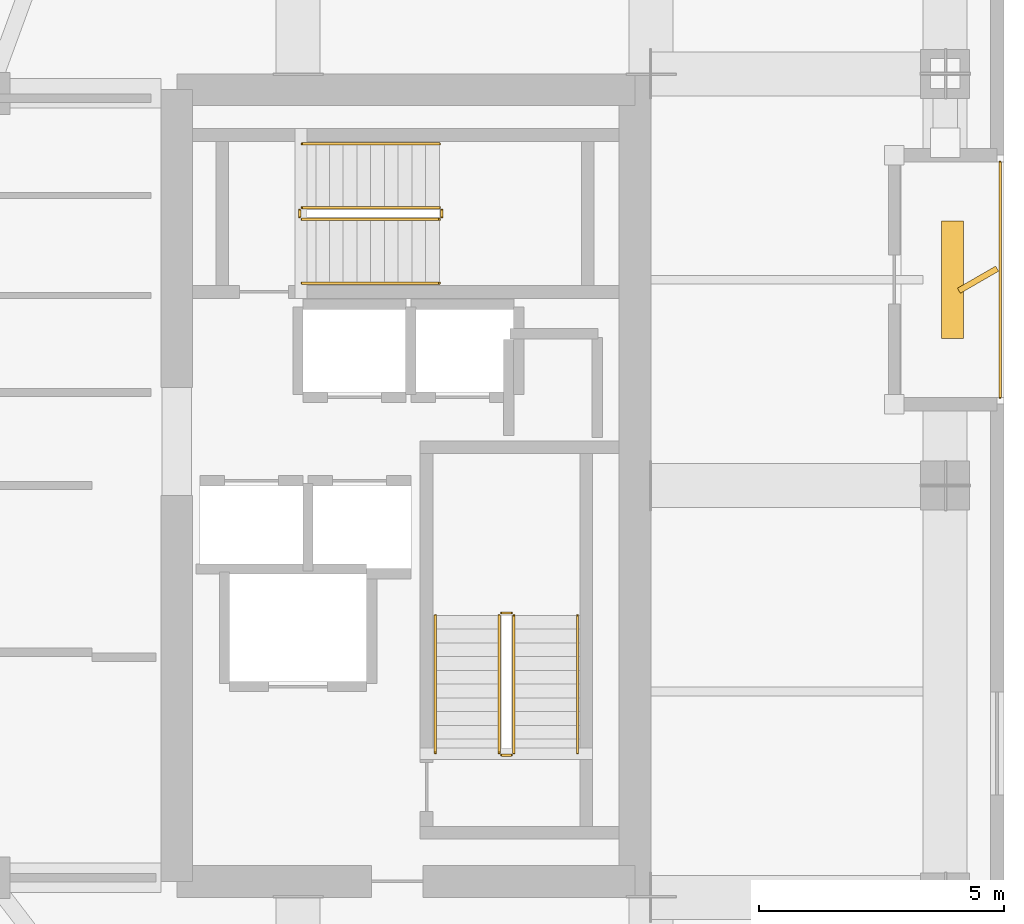
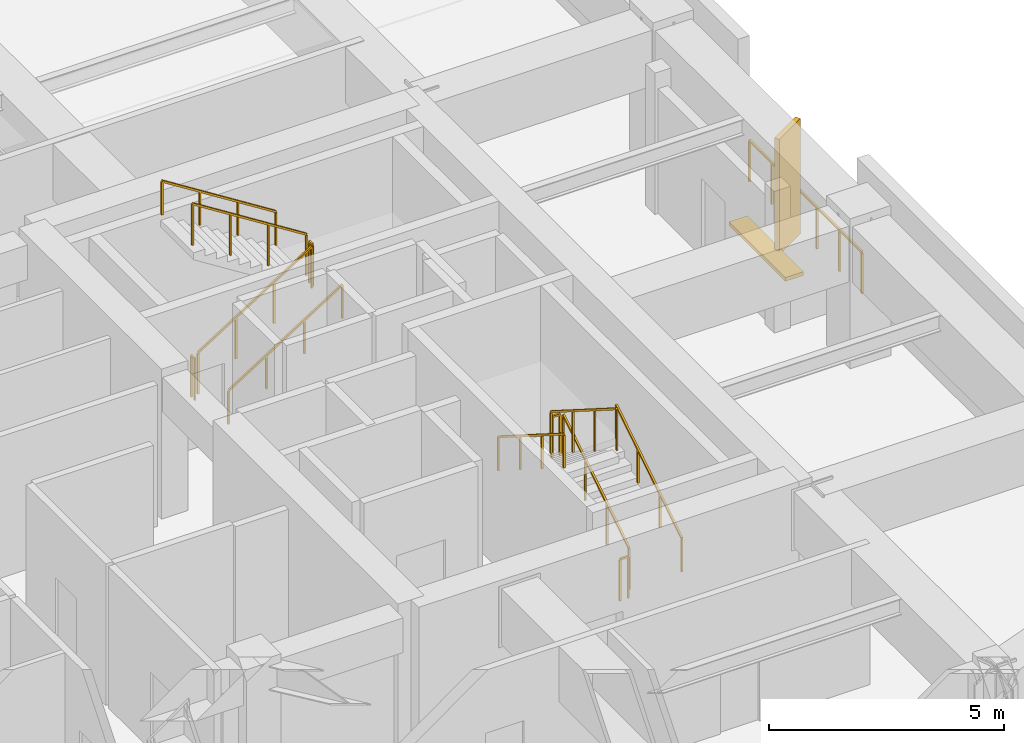
# One storey, part 20 of 21: 13 railings, 2 shading devices.
"""IFC4 building model written with IfcOpenShell, lengths in metres."""

from ifc_helpers import new_model, si_unit, direction, frame, origin, origin_2d, place, context, subcontext, project, spatial, rectangle, extrude, material, type_object, element, save


model = new_model("IFC4")

# Units and contexts
model_context = context("Model", 3, precision=1e-05, world=origin(), true_north=direction((0.0, 1.0)))
body_context = subcontext(model_context, "Body", "Model", "MODEL_VIEW")
ifc_project = project(units=[si_unit("LENGTHUNIT", "METRE"), si_unit("AREAUNIT", "SQUARE_METRE"), si_unit("VOLUMEUNIT", "CUBIC_METRE"), si_unit("PLANEANGLEUNIT", "RADIAN"), si_unit("MASSUNIT", "GRAM", prefix="KILO")], contexts=[model_context])

# Site, building, storey
site_placement = place(None, origin())
site = spatial("IfcSite", under=ifc_project, at=site_placement, CompositionType="ELEMENT")
building_placement = place(site_placement, origin())
building = spatial("IfcBuilding", under=site, at=building_placement, Name="Kiyonajd Concourse Tower", CompositionType="ELEMENT")
storey_placement = place(building_placement, frame((0.0, 0.0, 251.10009765625)))
storey = spatial("IfcBuildingStorey", under=building, at=storey_placement, Name="L63", CompositionType="ELEMENT", Elevation=251.10009765625)

# Railings
ifc_material_1 = material(Name="Thermally Broken Anodised Aluminium", Category="aluminium")
railing_type_1 = type_object("IfcRailingType", Name="RL-GRD-LOG", PredefinedType="GUARDRAIL", material=ifc_material_1)
railing_1_placement = place(storey_placement, frame((70.719970703125, 37.800048828125, 0.0)))
element("IfcRailing", 1, at=railing_1_placement, inside=storey, type_object=railing_type_1, Name="L63 Engawa Loggia Perimeter Guard LOG-E", PredefinedType="GUARDRAIL", context=body_context, shape_type="SweptSolid", body=[
    extrude(rectangle(XDim=0.048095703125, YDim=0.048095703125, at=origin_2d()), frame((0.0, 0.0, 1.076171875), z_axis=(0.0, 1.0, 0.0), x_axis=(-1.0, 0.0, 0.0)), (0.0, 0.0, 1.0), 4.800048828125),
    extrude(rectangle(XDim=0.0419921875, YDim=0.0419921875, at=origin_2d()), origin(), (0.0, 0.0, 1.0), 1.052001953125),
    extrude(rectangle(XDim=0.0419921875, YDim=0.0419921875, at=origin_2d()), frame((0.0, 0.9599609375, 0.0)), (0.0, 0.0, 1.0), 1.052001953125),
    extrude(rectangle(XDim=0.0419921875, YDim=0.0419921875, at=origin_2d()), frame((0.0, 1.919921875, 0.0)), (0.0, 0.0, 1.0), 1.052001953125),
    extrude(rectangle(XDim=0.0419921875, YDim=0.0419921875, at=origin_2d()), frame((0.0, 2.880126953125, 0.0)), (0.0, 0.0, 1.0), 1.052001953125),
    extrude(rectangle(XDim=0.0419921875, YDim=0.0419921875, at=origin_2d()), frame((0.0, 3.840087890625, 0.0)), (0.0, 0.0, 1.0), 1.052001953125),
    extrude(rectangle(XDim=0.0419921875, YDim=0.0419921875, at=origin_2d()), frame((0.0, 4.800048828125, 0.0)), (0.0, 0.0, 1.0), 1.052001953125),
])
ifc_material_2 = material(Name="Steel ASTM A500 Grade C", Category="steel")
railing_type_2 = type_object("IfcRailingType", Name="RL-GRD-STR", PredefinedType="GUARDRAIL", material=ifc_material_2)
railing_2_placement = place(storey_placement, frame((60.800048828125, 30.550048828125, 0.17724609375)))
element("IfcRailing", 2, at=railing_2_placement, inside=storey, type_object=railing_type_2, Name="L63 ST2 stair guard 1", PredefinedType="GUARDRAIL", context=body_context, shape_type="SweptSolid", body=[
    extrude(rectangle(XDim=0.048095703125, YDim=0.048095703125, at=origin_2d()), frame((0.0, 0.0, 1.076171875), z_axis=(0.0, 0.844908973607, 0.534910110503), x_axis=(-1.0, 0.0, 0.0)), (0.0, 0.0, 1.0), 3.31396484375),
    extrude(rectangle(XDim=0.0419921875, YDim=0.0419921875, at=origin_2d()), origin(), (0.0, 0.0, 1.0), 1.052001953125),
    extrude(rectangle(XDim=0.0419921875, YDim=0.0419921875, at=origin_2d()), frame((0.0, 0.933349609375, 0.5908203125)), (0.0, 0.0, 1.0), 1.052001953125),
    extrude(rectangle(XDim=0.0419921875, YDim=0.0419921875, at=origin_2d()), frame((0.0, 1.86669921875, 1.181884765625)), (0.0, 0.0, 1.0), 1.052001953125),
    extrude(rectangle(XDim=0.0419921875, YDim=0.0419921875, at=origin_2d()), frame((0.0, 2.800048828125, 1.772705078125)), (0.0, 0.0, 1.0), 1.052001953125),
])
railing_3_placement = place(storey_placement, frame((60.75, 33.39990234375, 1.949951171875)))
element("IfcRailing", 3, at=railing_3_placement, inside=storey, type_object=railing_type_2, Name="L63 ST2 stair guard 2", PredefinedType="GUARDRAIL", context=body_context, shape_type="SweptSolid", body=[
    extrude(rectangle(XDim=0.048095703125, YDim=0.048095703125, at=origin_2d()), frame((0.0, 0.0, 1.076171875), z_axis=(-1.0, 0.0, 0.0), x_axis=(0.0, -1.0, 0.0)), (0.0, 0.0, 1.0), 0.199951171875),
    extrude(rectangle(XDim=0.0419921875, YDim=0.0419921875, at=origin_2d()), origin(), (0.0, 0.0, 1.0), 1.052001953125),
    extrude(rectangle(XDim=0.0419921875, YDim=0.0419921875, at=origin_2d()), frame((-0.199951171875, 0.0, 0.0)), (0.0, 0.0, 1.0), 1.052001953125),
])
railing_4_placement = place(storey_placement, frame((60.5, 33.35009765625, 2.127197265625)))
element("IfcRailing", 4, at=railing_4_placement, inside=storey, type_object=railing_type_2, Name="L63 ST2 stair guard 3", PredefinedType="GUARDRAIL", context=body_context, shape_type="SweptSolid", body=[
    extrude(rectangle(XDim=0.048095703125, YDim=0.048095703125, at=origin_2d()), frame((0.0, 0.0, 1.076171875), z_axis=(0.0, -0.844908973607, 0.534910110503), x_axis=(1.0, 0.0, 0.0)), (0.0, 0.0, 1.0), 3.31396484375),
    extrude(rectangle(XDim=0.0419921875, YDim=0.0419921875, at=origin_2d()), origin(), (0.0, 0.0, 1.0), 1.052001953125),
    extrude(rectangle(XDim=0.0419921875, YDim=0.0419921875, at=origin_2d()), frame((0.0, -0.933349609375, 0.5908203125)), (0.0, 0.0, 1.0), 1.052001953125),
    extrude(rectangle(XDim=0.0419921875, YDim=0.0419921875, at=origin_2d()), frame((0.0, -1.86669921875, 1.181884765625)), (0.0, 0.0, 1.0), 1.052001953125),
    extrude(rectangle(XDim=0.0419921875, YDim=0.0419921875, at=origin_2d()), frame((0.0, -2.800048828125, 1.772705078125)), (0.0, 0.0, 1.0), 1.052001953125),
])
railing_5_placement = place(storey_placement, frame((60.75, 30.5, 0.0)))
element("IfcRailing", 5, at=railing_5_placement, inside=storey, type_object=railing_type_2, Name="L63 ST2 stair guard 4", PredefinedType="GUARDRAIL", context=body_context, shape_type="SweptSolid", body=[
    extrude(rectangle(XDim=0.048095703125, YDim=0.048095703125, at=origin_2d()), frame((0.0, 0.0, 1.076171875), z_axis=(-1.0, 0.0, 0.0), x_axis=(0.0, -1.0, 0.0)), (0.0, 0.0, 1.0), 0.199951171875),
    extrude(rectangle(XDim=0.0419921875, YDim=0.0419921875, at=origin_2d()), origin(), (0.0, 0.0, 1.0), 1.052001953125),
    extrude(rectangle(XDim=0.0419921875, YDim=0.0419921875, at=origin_2d()), frame((-0.199951171875, 0.0, 0.0)), (0.0, 0.0, 1.0), 1.052001953125),
])
railing_6_placement = place(storey_placement, frame((56.47998046875, 41.429931640625, 0.17724609375)))
element("IfcRailing", 6, at=railing_6_placement, inside=storey, type_object=railing_type_2, Name="L63 ST3 stair guard 1", PredefinedType="GUARDRAIL", context=body_context, shape_type="SweptSolid", body=[
    extrude(rectangle(XDim=0.048095703125, YDim=0.048095703125, at=origin_2d()), frame((0.0, 0.0, 1.076171875), z_axis=(0.844908973607, 0.0, 0.534910110503), x_axis=(0.0, 1.0, 0.0)), (0.0, 0.0, 1.0), 3.31396484375),
    extrude(rectangle(XDim=0.0419921875, YDim=0.0419921875, at=origin_2d()), origin(), (0.0, 0.0, 1.0), 1.052001953125),
    extrude(rectangle(XDim=0.0419921875, YDim=0.0419921875, at=origin_2d()), frame((0.933349609375, 0.0, 0.5908203125)), (0.0, 0.0, 1.0), 1.052001953125),
    extrude(rectangle(XDim=0.0419921875, YDim=0.0419921875, at=origin_2d()), frame((1.86669921875, 0.0, 1.181884765625)), (0.0, 0.0, 1.0), 1.052001953125),
    extrude(rectangle(XDim=0.0419921875, YDim=0.0419921875, at=origin_2d()), frame((2.800048828125, 0.0, 1.772705078125)), (0.0, 0.0, 1.0), 1.052001953125),
])
railing_7_placement = place(storey_placement, frame((59.330078125, 41.47998046875, 1.949951171875)))
element("IfcRailing", 7, at=railing_7_placement, inside=storey, type_object=railing_type_2, Name="L63 ST3 stair guard 2", PredefinedType="GUARDRAIL", context=body_context, shape_type="SweptSolid", body=[
    extrude(rectangle(XDim=0.048095703125, YDim=0.048095703125, at=origin_2d()), frame((0.0, 0.0, 1.076171875), z_axis=(0.0, 1.0, 0.0), x_axis=(-1.0, 0.0, 0.0)), (0.0, 0.0, 1.0), 0.14013671875),
    extrude(rectangle(XDim=0.0419921875, YDim=0.0419921875, at=origin_2d()), origin(), (0.0, 0.0, 1.0), 1.052001953125),
    extrude(rectangle(XDim=0.0419921875, YDim=0.0419921875, at=origin_2d()), frame((0.0, 0.14013671875, 0.0)), (0.0, 0.0, 1.0), 1.052001953125),
])
railing_8_placement = place(storey_placement, frame((59.280029296875, 41.669921875, 2.127197265625)))
element("IfcRailing", 8, at=railing_8_placement, inside=storey, type_object=railing_type_2, Name="L63 ST3 stair guard 3", PredefinedType="GUARDRAIL", context=body_context, shape_type="SweptSolid", body=[
    extrude(rectangle(XDim=0.048095703125, YDim=0.048095703125, at=origin_2d()), frame((0.0, 0.0, 1.076171875), z_axis=(-0.844908973607, 0.0, 0.534910110503), x_axis=(0.0, -1.0, 0.0)), (0.0, 0.0, 1.0), 3.31396484375),
    extrude(rectangle(XDim=0.0419921875, YDim=0.0419921875, at=origin_2d()), origin(), (0.0, 0.0, 1.0), 1.052001953125),
    extrude(rectangle(XDim=0.0419921875, YDim=0.0419921875, at=origin_2d()), frame((-0.933349609375, 0.0, 0.5908203125)), (0.0, 0.0, 1.0), 1.052001953125),
    extrude(rectangle(XDim=0.0419921875, YDim=0.0419921875, at=origin_2d()), frame((-1.86669921875, 0.0, 1.181884765625)), (0.0, 0.0, 1.0), 1.052001953125),
    extrude(rectangle(XDim=0.0419921875, YDim=0.0419921875, at=origin_2d()), frame((-2.800048828125, 0.0, 1.772705078125)), (0.0, 0.0, 1.0), 1.052001953125),
])
railing_9_placement = place(storey_placement, frame((56.429931640625, 41.47998046875, 0.0)))
element("IfcRailing", 9, at=railing_9_placement, inside=storey, type_object=railing_type_2, Name="L63 ST3 stair guard 4", PredefinedType="GUARDRAIL", context=body_context, shape_type="SweptSolid", body=[
    extrude(rectangle(XDim=0.048095703125, YDim=0.048095703125, at=origin_2d()), frame((0.0, 0.0, 1.076171875), z_axis=(0.0, 1.0, 0.0), x_axis=(-1.0, 0.0, 0.0)), (0.0, 0.0, 1.0), 0.14013671875),
    extrude(rectangle(XDim=0.0419921875, YDim=0.0419921875, at=origin_2d()), origin(), (0.0, 0.0, 1.0), 1.052001953125),
    extrude(rectangle(XDim=0.0419921875, YDim=0.0419921875, at=origin_2d()), frame((0.0, 0.14013671875, 0.0)), (0.0, 0.0, 1.0), 1.052001953125),
])
ifc_material_3 = material(Name="Brushed Stainless Steel Cab Assembly", Category="steel")
railing_type_3 = type_object("IfcRailingType", Name="RL-HND-900", PredefinedType="HANDRAIL", material=ifc_material_3)
railing_10_placement = place(storey_placement, frame((62.10009765625, 30.550048828125, 0.17724609375)))
element("IfcRailing", 10, at=railing_10_placement, inside=storey, type_object=railing_type_3, Name="L63 ST2 stair handrail 1", PredefinedType="HANDRAIL", context=body_context, shape_type="SweptSolid", body=[
    extrude(rectangle(XDim=0.048095703125, YDim=0.048095703125, at=origin_2d()), frame((0.0, 0.0, 0.8759765625), z_axis=(0.0, 0.844908973607, 0.534910110503), x_axis=(-1.0, 0.0, 0.0)), (0.0, 0.0, 1.0), 3.31396484375),
    extrude(rectangle(XDim=0.0419921875, YDim=0.0419921875, at=origin_2d()), origin(), (0.0, 0.0, 1.0), 0.851806640625),
    extrude(rectangle(XDim=0.0419921875, YDim=0.0419921875, at=origin_2d()), frame((0.0, 0.933349609375, 0.5908203125)), (0.0, 0.0, 1.0), 0.851806640625),
    extrude(rectangle(XDim=0.0419921875, YDim=0.0419921875, at=origin_2d()), frame((0.0, 1.86669921875, 1.181884765625)), (0.0, 0.0, 1.0), 0.851806640625),
    extrude(rectangle(XDim=0.0419921875, YDim=0.0419921875, at=origin_2d()), frame((0.0, 2.800048828125, 1.772705078125)), (0.0, 0.0, 1.0), 0.851806640625),
])
railing_11_placement = place(storey_placement, frame((59.199951171875, 33.35009765625, 2.127197265625)))
element("IfcRailing", 11, at=railing_11_placement, inside=storey, type_object=railing_type_3, Name="L63 ST2 stair handrail 2", PredefinedType="HANDRAIL", context=body_context, shape_type="SweptSolid", body=[
    extrude(rectangle(XDim=0.048095703125, YDim=0.048095703125, at=origin_2d()), frame((0.0, 0.0, 0.8759765625), z_axis=(0.0, -0.844908973607, 0.534910110503), x_axis=(1.0, 0.0, 0.0)), (0.0, 0.0, 1.0), 3.31396484375),
    extrude(rectangle(XDim=0.0419921875, YDim=0.0419921875, at=origin_2d()), origin(), (0.0, 0.0, 1.0), 0.851806640625),
    extrude(rectangle(XDim=0.0419921875, YDim=0.0419921875, at=origin_2d()), frame((0.0, -0.933349609375, 0.5908203125)), (0.0, 0.0, 1.0), 0.851806640625),
    extrude(rectangle(XDim=0.0419921875, YDim=0.0419921875, at=origin_2d()), frame((0.0, -1.86669921875, 1.181884765625)), (0.0, 0.0, 1.0), 0.851806640625),
    extrude(rectangle(XDim=0.0419921875, YDim=0.0419921875, at=origin_2d()), frame((0.0, -2.800048828125, 1.772705078125)), (0.0, 0.0, 1.0), 0.851806640625),
])
railing_12_placement = place(storey_placement, frame((56.47998046875, 40.1298828125, 0.17724609375)))
element("IfcRailing", 12, at=railing_12_placement, inside=storey, type_object=railing_type_3, Name="L63 ST3 stair handrail 1", PredefinedType="HANDRAIL", context=body_context, shape_type="SweptSolid", body=[
    extrude(rectangle(XDim=0.048095703125, YDim=0.048095703125, at=origin_2d()), frame((0.0, 0.0, 0.8759765625), z_axis=(0.844908973607, 0.0, 0.534910110503), x_axis=(0.0, 1.0, 0.0)), (0.0, 0.0, 1.0), 3.31396484375),
    extrude(rectangle(XDim=0.0419921875, YDim=0.0419921875, at=origin_2d()), origin(), (0.0, 0.0, 1.0), 0.851806640625),
    extrude(rectangle(XDim=0.0419921875, YDim=0.0419921875, at=origin_2d()), frame((0.933349609375, 0.0, 0.5908203125)), (0.0, 0.0, 1.0), 0.851806640625),
    extrude(rectangle(XDim=0.0419921875, YDim=0.0419921875, at=origin_2d()), frame((1.86669921875, 0.0, 1.181884765625)), (0.0, 0.0, 1.0), 0.851806640625),
    extrude(rectangle(XDim=0.0419921875, YDim=0.0419921875, at=origin_2d()), frame((2.800048828125, 0.0, 1.772705078125)), (0.0, 0.0, 1.0), 0.851806640625),
])
railing_13_placement = place(storey_placement, frame((59.280029296875, 42.969970703125, 2.127197265625)))
element("IfcRailing", 13, at=railing_13_placement, inside=storey, type_object=railing_type_3, Name="L63 ST3 stair handrail 2", PredefinedType="HANDRAIL", context=body_context, shape_type="SweptSolid", body=[
    extrude(rectangle(XDim=0.048095703125, YDim=0.048095703125, at=origin_2d()), frame((0.0, 0.0, 0.8759765625), z_axis=(-0.844908973607, 0.0, 0.534910110503), x_axis=(0.0, -1.0, 0.0)), (0.0, 0.0, 1.0), 3.31396484375),
    extrude(rectangle(XDim=0.0419921875, YDim=0.0419921875, at=origin_2d()), origin(), (0.0, 0.0, 1.0), 0.851806640625),
    extrude(rectangle(XDim=0.0419921875, YDim=0.0419921875, at=origin_2d()), frame((-0.933349609375, 0.0, 0.5908203125)), (0.0, 0.0, 1.0), 0.851806640625),
    extrude(rectangle(XDim=0.0419921875, YDim=0.0419921875, at=origin_2d()), frame((-1.86669921875, 0.0, 1.181884765625)), (0.0, 0.0, 1.0), 0.851806640625),
    extrude(rectangle(XDim=0.0419921875, YDim=0.0419921875, at=origin_2d()), frame((-2.800048828125, 0.0, 1.772705078125)), (0.0, 0.0, 1.0), 0.851806640625),
])

# Shading devices
ifc_material_4 = material(Name="Precast concrete C50/60", Category="concrete")
shading_device_type_1 = type_object("IfcShadingDeviceType", Name="SH-FIN-900", PredefinedType="USERDEFINED", material=ifc_material_4)
shading_device_1_placement = place(storey_placement, frame((70.27001953125, 40.199951171875, 0.0), z_axis=(0.0, 0.0, 1.0), x_axis=(0.866025403784, 0.5, 0.0)))
element("IfcShadingDevice", 14, at=shading_device_1_placement, inside=storey, type_object=shading_device_type_1, Name="L63 Angled Koshi Solar Fin LOG-E", ObjectType="FIN", PredefinedType="USERDEFINED", context=body_context, shape_type="SweptSolid", body=[
    extrude(rectangle(XDim=0.89990234375, YDim=0.1201171875, at=origin_2d()), origin(), (0.0, 0.0, 1.0), 3.0),
])
shading_device_type_2 = type_object("IfcShadingDeviceType", Name="SH-LVR-600", PredefinedType="JALOUSIE", material=ifc_material_1)
shading_device_2_placement = place(storey_placement, frame((69.75, 40.199951171875, -0.000244140625), z_axis=(0.0, 0.0, 1.0), x_axis=(0.0, 1.0, 0.0)))
element("IfcShadingDevice", 15, at=shading_device_2_placement, inside=storey, type_object=shading_device_type_2, Name="L63 Loggia Threshold Louver LOG-E", PredefinedType="JALOUSIE", context=body_context, shape_type="SweptSolid", body=[
    extrude(rectangle(XDim=2.39990234375, YDim=0.449951171875, at=origin_2d()), origin(), (0.0, 0.0, 1.0), 0.10009765625),
])

save(model, "model.ifc")
